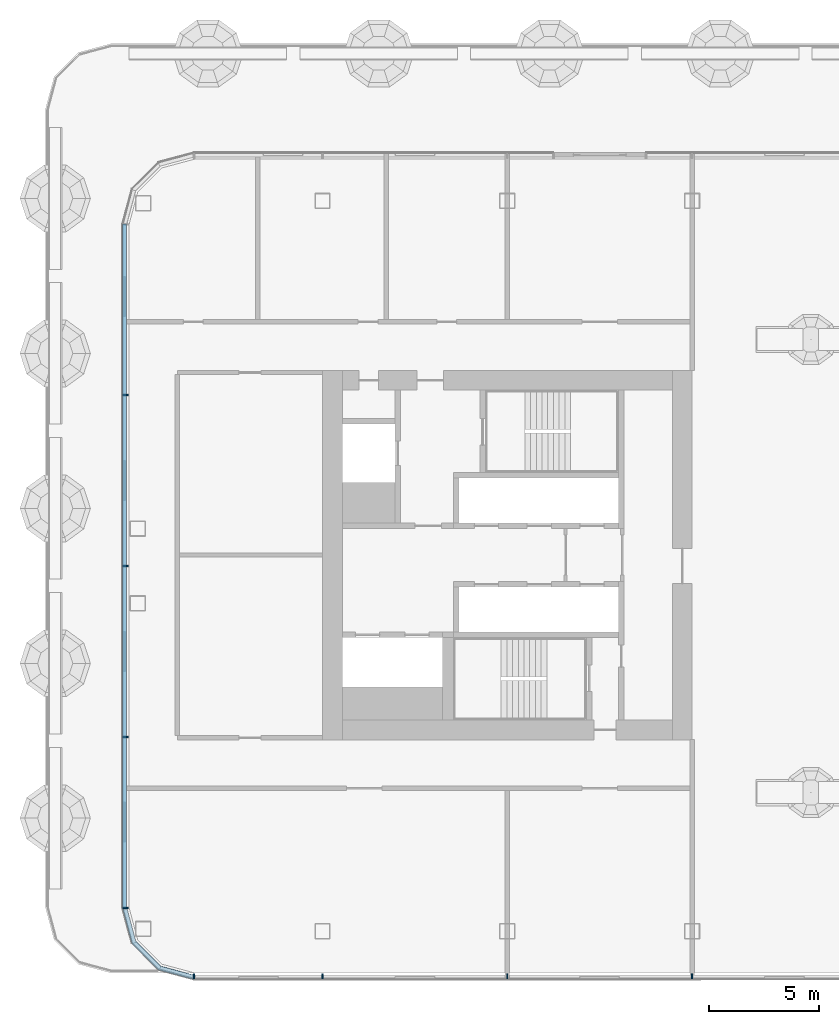
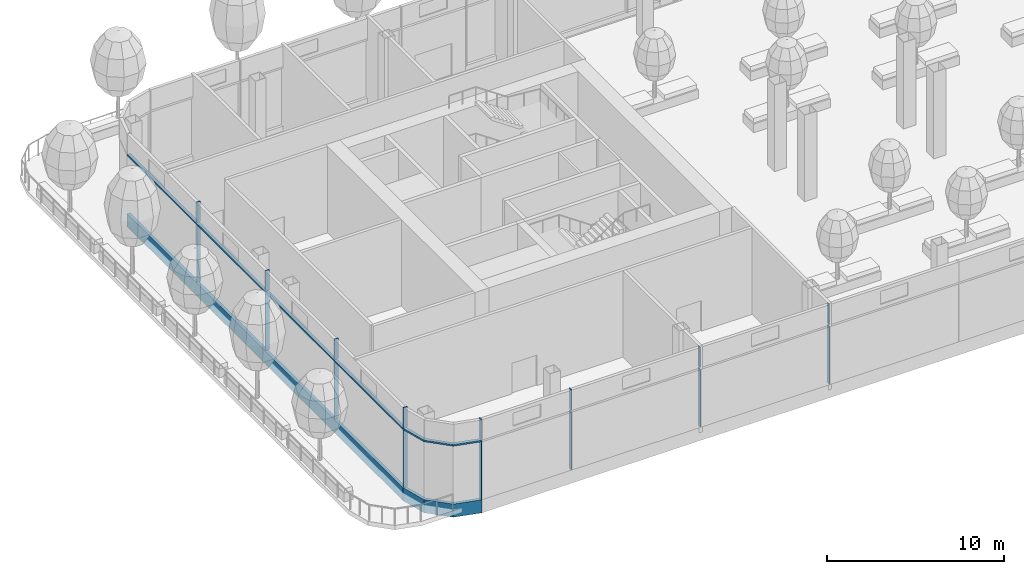
# One storey, part 2 of 43: 20 members, 3 elements without a shape of their own.
"""IFC4 building model written with IfcOpenShell, lengths in metres."""

import ifcopenshell
import ifcopenshell.guid

model = None  # the IFC model being written
_history = None  # IfcOwnerHistory: only IFC2X3 demands one
_inside = {}  # id of a spatial element -> (the spatial element, [elements in it])
_under = {}  # id of a project, library or spatial element -> (it, [spatial elements below it])
_declared = {}  # id of a project -> (the project, [libraries it declares])
_typed = {}  # id of a type object -> (the type object, [elements of that type])
_made_of = {}  # id of a material, layer set ... -> (it, [elements and type objects made of it])


def new_model(schema):
    """Start an empty IFC model of exactly this schema.

    Asked for "IFC4X3", IfcOpenShell would pick the latest addendum, in which some entities
    have other attributes; the version numbers below select the first issue.
    IFC2X3 requires an IfcOwnerHistory on every rooted entity: one is made here for all.
    """
    global model, _history
    if schema == "IFC4X3":
        model = ifcopenshell.file(schema_version=(4, 3, 0, 0))
    else:
        model = ifcopenshell.file(schema=schema)
    _inside.clear()
    _under.clear()
    _declared.clear()
    _typed.clear()
    _made_of.clear()
    _history = None
    if model.schema == "IFC2X3":
        org = make("IfcOrganization", Name="unknown")
        user = make(
            "IfcPersonAndOrganization",
            ThePerson=make("IfcPerson", FamilyName="unknown"),
            TheOrganization=org,
        )
        app = make(
            "IfcApplication",
            ApplicationDeveloper=org,
            Version="unknown",
            ApplicationFullName="unknown",
            ApplicationIdentifier="unknown",
        )
        _history = make(
            "IfcOwnerHistory",
            OwningUser=user,
            OwningApplication=app,
            ChangeAction="ADDED",
            CreationDate=0,
        )
    return model


def make(cls, **values):
    """One entity of the class cls with the attributes given. An attribute that is None is left unset."""
    return model.create_entity(
        cls, **{name: value for name, value in values.items() if value is not None}
    )


def rooted(cls, **values):
    """An entity with a GlobalId (a new one), such as an element, a storey or a relation."""
    return make(cls, GlobalId=ifcopenshell.guid.new(), OwnerHistory=_history, **values)


def si_unit(unit_type, name, prefix=None):
    """IfcSIUnit, for example si_unit("LENGTHUNIT", "METRE", prefix="MILLI")."""
    return make("IfcSIUnit", UnitType=unit_type, Prefix=prefix, Name=name)


def assignment(units):
    """IfcUnitAssignment: the units of a project."""
    return None if units is None else make("IfcUnitAssignment", Units=units)


def point(xyz):
    """IfcCartesianPoint."""
    return None if xyz is None else make("IfcCartesianPoint", Coordinates=xyz)


def direction(xyz):
    """IfcDirection."""
    return None if xyz is None else make("IfcDirection", DirectionRatios=xyz)


def frame(location, z_axis=None, x_axis=None):
    """IfcAxis2Placement3D, a coordinate frame: its origin and axes. An axis left out is left unset."""
    return make(
        "IfcAxis2Placement3D",
        Location=point(location),
        Axis=direction(z_axis),
        RefDirection=direction(x_axis),
    )


def frame_2d(location, x_axis=None):
    """IfcAxis2Placement2D, a coordinate frame in the plane: its origin and x axis."""
    return make(
        "IfcAxis2Placement2D", Location=point(location), RefDirection=direction(x_axis)
    )


def origin():
    """The frame at (0, 0, 0) with its axes left unset."""
    return frame((0.0, 0.0, 0.0))


def origin_2d():
    """The frame at (0, 0) in the plane with its x axis left unset."""
    return frame_2d((0.0, 0.0))


def place(relative_to, where):
    """IfcLocalPlacement: puts the frame where relative to a parent placement (None: the world)."""
    return make(
        "IfcLocalPlacement", PlacementRelTo=relative_to, RelativePlacement=where
    )


def context(
    kind, dimensions, precision=None, world=None, true_north=None, identifier=None
):
    """IfcGeometricRepresentationContext, for example the 3D "Model" context."""
    return make(
        "IfcGeometricRepresentationContext",
        ContextIdentifier=identifier,
        ContextType=kind,
        CoordinateSpaceDimension=dimensions,
        Precision=precision,
        WorldCoordinateSystem=world,
        TrueNorth=true_north,
    )


def subcontext(parent, identifier, kind, view, scale=None):
    """IfcGeometricRepresentationSubContext, for example "Body" below "Model"."""
    return make(
        "IfcGeometricRepresentationSubContext",
        ContextIdentifier=identifier,
        ContextType=kind,
        ParentContext=parent,
        TargetScale=scale,
        TargetView=view,
    )


def project(units=None, contexts=None):
    """IfcProject with its units and contexts."""
    return rooted(
        "IfcProject",
        Name="project",
        RepresentationContexts=contexts,
        UnitsInContext=assignment(units),
    )


def spatial(cls, under=None, at=None, **own):
    """A site, building, storey or space (cls), placed at a placement, below another one or the project."""
    s = rooted(cls, ObjectPlacement=at, **own)
    if under is not None:
        _under.setdefault(under.id(), (under, []))[1].append(s)
    return s


def polyline(points):
    """IfcPolyline through the points."""
    return make("IfcPolyline", Points=[point(p) for p in points])


def profile(cls, at=None, kind="AREA", **sizes):
    """A parametric profile (cls). Its sizes go by their IFC names, for example OverallWidth=200.0."""
    return make(cls, ProfileType=kind, Position=at, **sizes)


def rectangle(**sizes):
    """IfcRectangleProfileDef."""
    return profile("IfcRectangleProfileDef", **sizes)


def outline(outer, holes=None, kind="AREA"):
    """IfcArbitraryClosedProfileDef: a profile drawn as a closed curve; with holes, ...WithVoids."""
    if holes is None:
        return make("IfcArbitraryClosedProfileDef", ProfileType=kind, OuterCurve=outer)
    return make(
        "IfcArbitraryProfileDefWithVoids",
        ProfileType=kind,
        OuterCurve=outer,
        InnerCurves=holes,
    )


def extrude(swept, where, along, depth):
    """IfcExtrudedAreaSolid: the profile swept, set in the frame where, extruded along a direction by depth."""
    return make(
        "IfcExtrudedAreaSolid",
        SweptArea=swept,
        Position=where,
        ExtrudedDirection=direction(along),
        Depth=depth,
    )


def shape(context_of_items, identifier, shape_type, items):
    """IfcShapeRepresentation: the items that make up one representation, for example the "Body"."""
    return make(
        "IfcShapeRepresentation",
        ContextOfItems=context_of_items,
        RepresentationIdentifier=identifier,
        RepresentationType=shape_type,
        Items=items,
    )


def material(Name=None, Category=None):
    """IfcMaterial."""
    return make("IfcMaterial", Name=Name, Category=Category)


def layer(
    of_material, thickness, ventilated=None, Name=None, Category=None, Priority=None
):
    """IfcMaterialLayer: one layer of a wall or slab, of a material (None: an air gap)."""
    return make(
        "IfcMaterialLayer",
        Material=of_material,
        LayerThickness=thickness,
        IsVentilated=ventilated,
        Name=Name,
        Category=Category,
        Priority=Priority,
    )


def layer_set(layers, Name=None):
    """IfcMaterialLayerSet."""
    return make("IfcMaterialLayerSet", MaterialLayers=layers, LayerSetName=Name)


def material_profile(
    of_material, cross_section, Name=None, Category=None, Priority=None
):
    """IfcMaterialProfile: a cross section and its material."""
    return make(
        "IfcMaterialProfile",
        Name=Name,
        Material=of_material,
        Profile=cross_section,
        Priority=Priority,
        Category=Category,
    )


def profile_set(profiles, Name=None, composite=None):
    """IfcMaterialProfileSet."""
    return make(
        "IfcMaterialProfileSet",
        Name=Name,
        MaterialProfiles=profiles,
        CompositeProfile=composite,
    )


def made_of(thing, what):
    """Note that an element or type object is made of a material, layer set ...; save() writes the relation."""
    if what is not None:
        _made_of.setdefault(what.id(), (what, []))[1].append(thing)
    return thing


def type_object(cls, material=None, **own):
    """A type object (cls), such as IfcWallType, which elements share."""
    return made_of(rooted(cls, **own), material)


def element(
    cls,
    number,
    at=None,
    inside=None,
    cuts=None,
    type_object=None,
    material=None,
    context=None,
    identifier="Body",
    shape_type=None,
    held_by="IfcProductDefinitionShape",
    body=None,
    shapes=None,
    **own,
):
    """One element of the class cls, such as IfcWall. Its Tag is "e" and its number.

    at: its placement. inside: the storey or other place that contains it. cuts: it is an
    opening in that element (IfcRelVoidsElement). A single representation is given by context,
    identifier, shape_type and body (its items); several are given by shapes. held_by: the class
    of the entity that holds the representations. save() writes the other relations.
    """
    e = rooted(cls, Tag="e%d" % number, ObjectPlacement=at, **own)
    if body is not None:
        shapes = [shape(context, identifier, shape_type, body)]
    if shapes is not None:
        e.Representation = make(held_by, Representations=shapes)
    if inside is not None:
        _inside.setdefault(inside.id(), (inside, []))[1].append(e)
    if cuts is not None:
        rooted(
            "IfcRelVoidsElement", RelatingBuildingElement=cuts, RelatedOpeningElement=e
        )
    if type_object is not None:
        _typed.setdefault(type_object.id(), (type_object, []))[1].append(e)
    return made_of(e, material)


def aggregate(whole, parts):
    """IfcRelAggregates: a whole, such as a stair, and the parts it consists of."""
    return rooted("IfcRelAggregates", RelatingObject=whole, RelatedObjects=parts)


def save(model, path):
    """Write the relations noted so far, then the file.

    IfcRelAggregates (storeys below a building ...), IfcRelContainedInSpatialStructure (elements
    in a storey), IfcRelDefinesByType, IfcRelAssociatesMaterial and IfcRelDeclares: one each for
    every whole, place, type object, material and project.
    """
    for whole, parts in _under.values():
        aggregate(whole, parts)
    for where, things in _inside.values():
        rooted(
            "IfcRelContainedInSpatialStructure",
            RelatedElements=things,
            RelatingStructure=where,
        )
    for kind, things in _typed.values():
        rooted("IfcRelDefinesByType", RelatedObjects=things, RelatingType=kind)
    for what, things in _made_of.values():
        rooted("IfcRelAssociatesMaterial", RelatedObjects=things, RelatingMaterial=what)
    for by, libraries in _declared.values():
        rooted("IfcRelDeclares", RelatingContext=by, RelatedDefinitions=libraries)
    model.write(path)


model = new_model("IFC4")

# Units and contexts
model_context = context("Model", 3, precision=1e-05, world=origin(), true_north=direction((0.0, 1.0)))
body_context = subcontext(model_context, "Body", "Model", "MODEL_VIEW")
ifc_project = project(units=[si_unit("LENGTHUNIT", "METRE"), si_unit("AREAUNIT", "SQUARE_METRE"), si_unit("VOLUMEUNIT", "CUBIC_METRE"), si_unit("PLANEANGLEUNIT", "RADIAN"), si_unit("MASSUNIT", "GRAM", prefix="KILO")], contexts=[model_context])

# Site, building, storey
site_placement = place(None, origin())
site = spatial("IfcSite", under=ifc_project, at=site_placement, CompositionType="ELEMENT")
building_placement = place(site_placement, origin())
building = spatial("IfcBuilding", under=site, at=building_placement, Name="Hakoniwa Tower and Hamabe Station Hall", CompositionType="ELEMENT")
storey_placement = place(building_placement, frame((0.0, 0.0, 124.60009765625)))
storey = spatial("IfcBuildingStorey", under=building, at=storey_placement, Name="L35", CompositionType="ELEMENT", Elevation=124.60009765625)

# Curtain wall, member
ifc_material_1 = material(Name="Dark low-e laminated glass", Category="glass")
ifc_layer = layer(ifc_material_1, 0.199951171875)
ifc_layer_set = layer_set([ifc_layer], Name="CW-2 SKY GARDEN")
curtain_wall_type = type_object("IfcCurtainWallType", Name="CW-2 SKY GARDEN", PredefinedType="NOTDEFINED", material=ifc_layer_set)
curtain_wall_1_placement = place(storey_placement, origin())
curtain_wall_1 = element("IfcCurtainWall", 1, at=curtain_wall_1_placement, inside=storey, type_object=curtain_wall_type, Name="CW-2 curtain wall", PredefinedType="NOTDEFINED")
ifc_material_2 = material(Name="Aluminium 6063-T5 black anodised", Category="aluminium")
ifc_material_profile_1 = material_profile(ifc_material_2, rectangle(XDim=0.199951171875, YDim=0.1201171875, at=origin_2d()), Name="CW MID TRANSOM 120X200")
ifc_profile_set_1 = profile_set([ifc_material_profile_1], Name="Aluminium 6063-T5 black anodised")
member_type_1 = type_object("IfcMemberType", Name="CW MID TRANSOM 120X200", PredefinedType="USERDEFINED", material=ifc_profile_set_1)
member_1_placement = place(storey_placement, frame((-42.60009765625, 15.03955078125, 4.389892578125), z_axis=(0.0, -1.0, 0.0), x_axis=(1.0, 0.0, 0.0)))
member_1 = element("IfcMember", 2, at=member_1_placement, type_object=member_type_1, Name="CW-2 transom", ObjectType="TRANSOM", PredefinedType="USERDEFINED", context=body_context, shape_type="SweptSolid", body=[
    extrude(rectangle(XDim=0.199951171875, YDim=0.1201171875, at=origin_2d()), origin(), (0.0, 0.0, 1.0), 31.0791015625),
])

curtain_wall_2_placement = place(storey_placement, origin())
curtain_wall_2 = element("IfcCurtainWall", 3, at=curtain_wall_2_placement, inside=storey, type_object=curtain_wall_type, Name="CW-2 curtain wall", PredefinedType="NOTDEFINED")
member_2_placement = place(storey_placement, frame((0.0, 0.0, 4.329833984375)))
member_2 = element("IfcMember", 4, at=member_2_placement, type_object=member_type_1, Name="CW-2 transom", ObjectType="TRANSOM", PredefinedType="USERDEFINED", context=body_context, shape_type="SweptSolid", body=[
    extrude(outline(polyline([(-42.699951171875, -16.03955078125), (-42.26708984375, -17.6552734375), (-41.05517578125, -18.866943359375), (-39.439453125, -19.300048828125), (-39.3876953125, -19.10693359375), (-40.95166015625, -18.687744140625), (-42.087646484375, -17.5517578125), (-42.5068359375, -15.98779296875), (-42.699951171875, -16.03955078125)])), origin(), (0.0, 0.0, 1.0), 0.1201171875),
])

# Member
ifc_material_3 = material(Name="Aluminium 6063-T5 black anodised", Category="aluminium")
ifc_material_profile_2 = material_profile(ifc_material_3, rectangle(XDim=0.199951171875, YDim=0.89990234375, at=origin_2d()), Name="CW SLAB-EDGE BAND 900X200")
ifc_profile_set_2 = profile_set([ifc_material_profile_2], Name="Aluminium 6063-T5 black anodised")
member_type_2 = type_object("IfcMemberType", Name="CW SLAB-EDGE BAND 900X200", PredefinedType="USERDEFINED", material=ifc_profile_set_2)
member_3_placement = place(storey_placement, frame((-42.60009765625, 15.03955078125, -0.10009765625), z_axis=(0.0, -1.0, 0.0), x_axis=(1.0, 0.0, 0.0)))
member_3 = element("IfcMember", 5, at=member_3_placement, type_object=member_type_2, Name="CW-2 transom", ObjectType="TRANSOM", PredefinedType="USERDEFINED", context=body_context, shape_type="SweptSolid", body=[
    extrude(rectangle(XDim=0.199951171875, YDim=0.89990234375, at=origin_2d()), origin(), (0.0, 0.0, 1.0), 31.0791015625),
])

member_4_placement = place(storey_placement, frame((0.0, 0.0, -0.550048828125)))
member_4 = element("IfcMember", 6, at=member_4_placement, type_object=member_type_2, Name="CW-2 transom", ObjectType="TRANSOM", PredefinedType="USERDEFINED", context=body_context, shape_type="SweptSolid", body=[
    extrude(outline(polyline([(-42.699951171875, -16.03955078125), (-42.26708984375, -17.6552734375), (-41.05517578125, -18.866943359375), (-39.439453125, -19.300048828125), (-39.3876953125, -19.10693359375), (-40.95166015625, -18.687744140625), (-42.087646484375, -17.5517578125), (-42.5068359375, -15.98779296875), (-42.699951171875, -16.03955078125)])), origin(), (0.0, 0.0, 1.0), 0.89990234375),
])

aggregate(curtain_wall_2, [member_4, member_2])

ifc_material_4 = material(Name="Aluminium 6063-T5 black anodised", Category="aluminium")
ifc_material_profile_3 = material_profile(ifc_material_4, rectangle(XDim=0.06005859375, YDim=0.239990234375, at=origin_2d()), Name="CW-2 MULLION 60X240")
ifc_profile_set_3 = profile_set([ifc_material_profile_3], Name="Aluminium 6063-T5 black anodised")
member_type_3 = type_object("IfcMemberType", Name="CW-2 MULLION 60X240", PredefinedType="MULLION", material=ifc_profile_set_3)
member_5_placement = place(storey_placement, frame((-42.552001953125, 7.269775390625, 0.349853515625), z_axis=(0.0, 0.0, 1.0), x_axis=(0.0, -1.0, 0.0)))
member_5 = element("IfcMember", 7, at=member_5_placement, type_object=member_type_3, Name="CW-2 mullion", PredefinedType="MULLION", context=body_context, shape_type="SweptSolid", body=[
    extrude(rectangle(XDim=0.06005859375, YDim=0.239990234375, at=origin_2d()), origin(), (0.0, 0.0, 1.0), 3.97998046875),
])

member_6_placement = place(storey_placement, frame((-42.552001953125, 7.269775390625, 4.449951171875), z_axis=(0.0, 0.0, 1.0), x_axis=(0.0, -1.0, 0.0)))
member_6 = element("IfcMember", 8, at=member_6_placement, type_object=member_type_3, Name="CW-2 mullion", PredefinedType="MULLION", context=body_context, shape_type="SweptSolid", body=[
    extrude(rectangle(XDim=0.06005859375, YDim=0.239990234375, at=origin_2d()), origin(), (0.0, 0.0, 1.0), 1.39990234375),
])

member_7_placement = place(storey_placement, frame((-42.552001953125, -0.5, 0.349853515625), z_axis=(0.0, 0.0, 1.0), x_axis=(0.0, -1.0, 0.0)))
member_7 = element("IfcMember", 9, at=member_7_placement, type_object=member_type_3, Name="CW-2 mullion", PredefinedType="MULLION", context=body_context, shape_type="SweptSolid", body=[
    extrude(rectangle(XDim=0.06005859375, YDim=0.239990234375, at=origin_2d()), origin(), (0.0, 0.0, 1.0), 3.97998046875),
])

member_8_placement = place(storey_placement, frame((-42.552001953125, -0.5, 4.449951171875), z_axis=(0.0, 0.0, 1.0), x_axis=(0.0, -1.0, 0.0)))
member_8 = element("IfcMember", 10, at=member_8_placement, type_object=member_type_3, Name="CW-2 mullion", PredefinedType="MULLION", context=body_context, shape_type="SweptSolid", body=[
    extrude(rectangle(XDim=0.06005859375, YDim=0.239990234375, at=origin_2d()), origin(), (0.0, 0.0, 1.0), 1.39990234375),
])

member_9_placement = place(storey_placement, frame((-42.552001953125, -8.269775390625, 0.349853515625), z_axis=(0.0, 0.0, 1.0), x_axis=(0.0, -1.0, 0.0)))
member_9 = element("IfcMember", 11, at=member_9_placement, type_object=member_type_3, Name="CW-2 mullion", PredefinedType="MULLION", context=body_context, shape_type="SweptSolid", body=[
    extrude(rectangle(XDim=0.06005859375, YDim=0.239990234375, at=origin_2d()), origin(), (0.0, 0.0, 1.0), 3.97998046875),
])

member_10_placement = place(storey_placement, frame((-42.552001953125, -8.269775390625, 4.449951171875), z_axis=(0.0, 0.0, 1.0), x_axis=(0.0, -1.0, 0.0)))
member_10 = element("IfcMember", 12, at=member_10_placement, type_object=member_type_3, Name="CW-2 mullion", PredefinedType="MULLION", context=body_context, shape_type="SweptSolid", body=[
    extrude(rectangle(XDim=0.06005859375, YDim=0.239990234375, at=origin_2d()), origin(), (0.0, 0.0, 1.0), 1.39990234375),
])

member_11_placement = place(storey_placement, frame((-42.552001953125, -16.03955078125, 0.349853515625), z_axis=(0.0, 0.0, 1.0), x_axis=(0.0, -1.0, 0.0)))
member_11 = element("IfcMember", 13, at=member_11_placement, type_object=member_type_3, Name="CW-2 mullion", PredefinedType="MULLION", context=body_context, shape_type="SweptSolid", body=[
    extrude(rectangle(XDim=0.06005859375, YDim=0.239990234375, at=origin_2d()), origin(), (0.0, 0.0, 1.0), 3.97998046875),
])

member_12_placement = place(storey_placement, frame((-42.552001953125, -16.03955078125, 4.449951171875), z_axis=(0.0, 0.0, 1.0), x_axis=(0.0, -1.0, 0.0)))
member_12 = element("IfcMember", 14, at=member_12_placement, type_object=member_type_3, Name="CW-2 mullion", PredefinedType="MULLION", context=body_context, shape_type="SweptSolid", body=[
    extrude(rectangle(XDim=0.06005859375, YDim=0.239990234375, at=origin_2d()), origin(), (0.0, 0.0, 1.0), 1.39990234375),
])

aggregate(curtain_wall_1, [member_5, member_6, member_7, member_8, member_9, member_10, member_11, member_12, member_3, member_1])

# Curtain wall, members
curtain_wall_3_placement = place(storey_placement, origin())
curtain_wall_3 = element("IfcCurtainWall", 15, at=curtain_wall_3_placement, inside=storey, type_object=curtain_wall_type, Name="CW-2 curtain wall", PredefinedType="NOTDEFINED")
member_13_placement = place(storey_placement, frame((-39.439453125, -19.152099609375, 0.349853515625), z_axis=(0.0, 0.0, 1.0), x_axis=(1.0, 0.0, 0.0)))
member_13 = element("IfcMember", 16, at=member_13_placement, type_object=member_type_3, Name="CW-2 mullion", PredefinedType="MULLION", context=body_context, shape_type="SweptSolid", body=[
    extrude(rectangle(XDim=0.06005859375, YDim=0.239990234375, at=origin_2d()), origin(), (0.0, 0.0, 1.0), 3.97998046875),
])
member_14_placement = place(storey_placement, frame((-39.439453125, -19.152099609375, 4.449951171875), z_axis=(0.0, 0.0, 1.0), x_axis=(1.0, 0.0, 0.0)))
member_14 = element("IfcMember", 17, at=member_14_placement, type_object=member_type_3, Name="CW-2 mullion", PredefinedType="MULLION", context=body_context, shape_type="SweptSolid", body=[
    extrude(rectangle(XDim=0.06005859375, YDim=0.239990234375, at=origin_2d()), origin(), (0.0, 0.0, 1.0), 1.39990234375),
])
member_15_placement = place(storey_placement, frame((-33.60009765625, -19.152099609375, 0.349853515625), z_axis=(0.0, 0.0, 1.0), x_axis=(1.0, 0.0, 0.0)))
member_15 = element("IfcMember", 18, at=member_15_placement, type_object=member_type_3, Name="CW-2 mullion", PredefinedType="MULLION", context=body_context, shape_type="SweptSolid", body=[
    extrude(rectangle(XDim=0.06005859375, YDim=0.239990234375, at=origin_2d()), origin(), (0.0, 0.0, 1.0), 3.97998046875),
])
member_16_placement = place(storey_placement, frame((-33.60009765625, -19.152099609375, 4.449951171875), z_axis=(0.0, 0.0, 1.0), x_axis=(1.0, 0.0, 0.0)))
member_16 = element("IfcMember", 19, at=member_16_placement, type_object=member_type_3, Name="CW-2 mullion", PredefinedType="MULLION", context=body_context, shape_type="SweptSolid", body=[
    extrude(rectangle(XDim=0.06005859375, YDim=0.239990234375, at=origin_2d()), origin(), (0.0, 0.0, 1.0), 1.39990234375),
])
member_17_placement = place(storey_placement, frame((-25.199951171875, -19.152099609375, 0.349853515625), z_axis=(0.0, 0.0, 1.0), x_axis=(1.0, 0.0, 0.0)))
member_17 = element("IfcMember", 20, at=member_17_placement, type_object=member_type_3, Name="CW-2 mullion", PredefinedType="MULLION", context=body_context, shape_type="SweptSolid", body=[
    extrude(rectangle(XDim=0.06005859375, YDim=0.239990234375, at=origin_2d()), origin(), (0.0, 0.0, 1.0), 3.97998046875),
])
member_18_placement = place(storey_placement, frame((-25.199951171875, -19.152099609375, 4.449951171875), z_axis=(0.0, 0.0, 1.0), x_axis=(1.0, 0.0, 0.0)))
member_18 = element("IfcMember", 21, at=member_18_placement, type_object=member_type_3, Name="CW-2 mullion", PredefinedType="MULLION", context=body_context, shape_type="SweptSolid", body=[
    extrude(rectangle(XDim=0.06005859375, YDim=0.239990234375, at=origin_2d()), origin(), (0.0, 0.0, 1.0), 1.39990234375),
])
member_19_placement = place(storey_placement, frame((-16.800048828125, -19.152099609375, 0.349853515625), z_axis=(0.0, 0.0, 1.0), x_axis=(1.0, 0.0, 0.0)))
member_19 = element("IfcMember", 22, at=member_19_placement, type_object=member_type_3, Name="CW-2 mullion", PredefinedType="MULLION", context=body_context, shape_type="SweptSolid", body=[
    extrude(rectangle(XDim=0.06005859375, YDim=0.239990234375, at=origin_2d()), origin(), (0.0, 0.0, 1.0), 3.97998046875),
])
member_20_placement = place(storey_placement, frame((-16.800048828125, -19.152099609375, 4.449951171875), z_axis=(0.0, 0.0, 1.0), x_axis=(1.0, 0.0, 0.0)))
member_20 = element("IfcMember", 23, at=member_20_placement, type_object=member_type_3, Name="CW-2 mullion", PredefinedType="MULLION", context=body_context, shape_type="SweptSolid", body=[
    extrude(rectangle(XDim=0.06005859375, YDim=0.239990234375, at=origin_2d()), origin(), (0.0, 0.0, 1.0), 1.39990234375),
])
aggregate(curtain_wall_3, [member_13, member_14, member_15, member_16, member_17, member_18, member_19, member_20])

save(model, "model.ifc")
